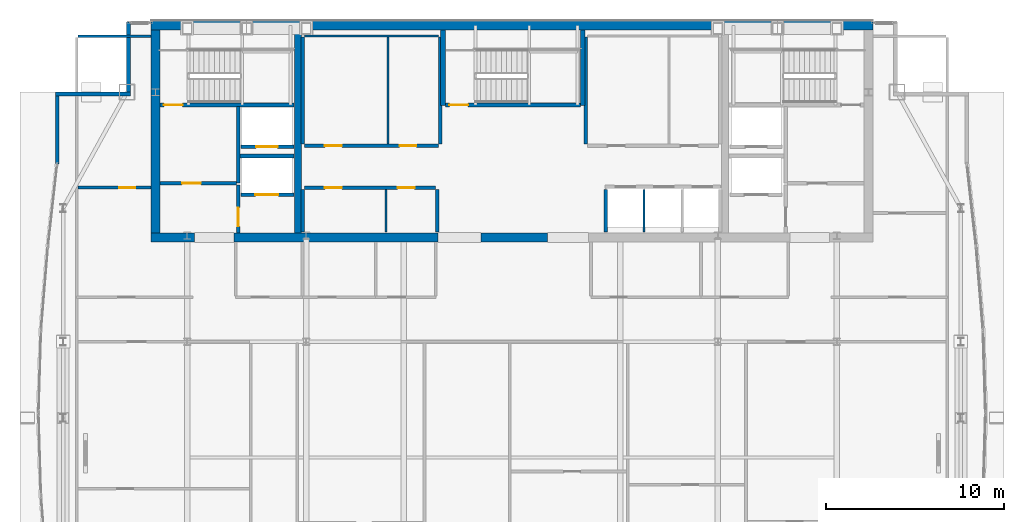
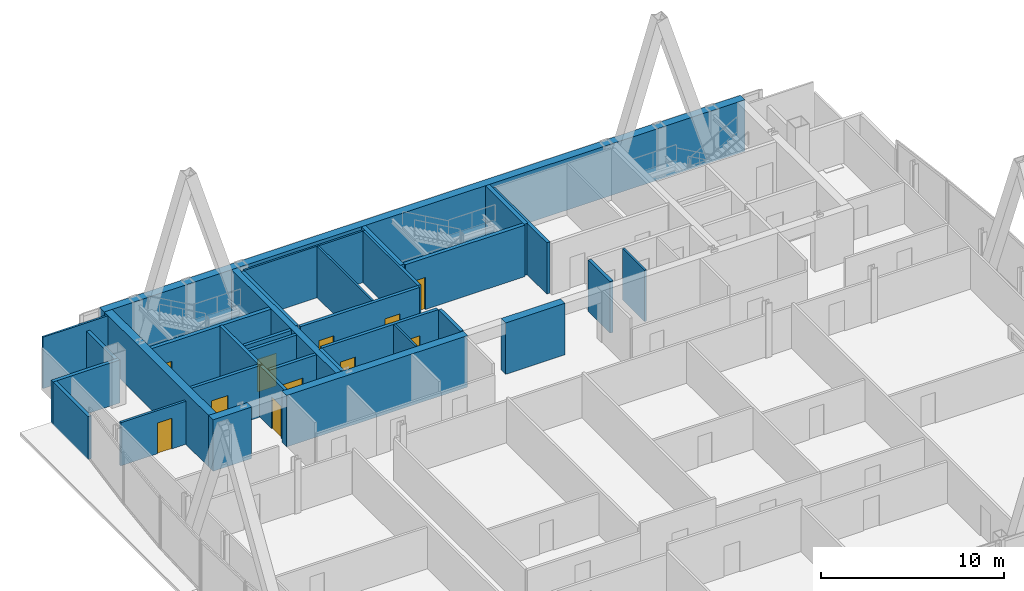
# One storey, part 24 of 28: 33 walls, 11 doors, 11 openings.
"""IFC4 building model written with IfcOpenShell, lengths in metres."""

from ifc_helpers import new_model, si_unit, direction, frame, frame_2d, origin, place, context, subcontext, project, spatial, rectangle, extrude, material, layer, layer_set, type_object, element, fill, save


model = new_model("IFC4")

# Units and contexts
model_context = context("Model", 3, precision=1e-05, world=origin(), true_north=direction((0.0, 1.0)))
body_context = subcontext(model_context, "Body", "Model", "MODEL_VIEW")
ifc_project = project(units=[si_unit("LENGTHUNIT", "METRE"), si_unit("AREAUNIT", "SQUARE_METRE"), si_unit("VOLUMEUNIT", "CUBIC_METRE"), si_unit("PLANEANGLEUNIT", "RADIAN"), si_unit("MASSUNIT", "GRAM", prefix="KILO")], contexts=[model_context])

# Site, building, storey
site_placement = place(None, origin())
site = spatial("IfcSite", under=ifc_project, at=site_placement, CompositionType="ELEMENT")
building_placement = place(site_placement, origin())
building = spatial("IfcBuilding", under=site, at=building_placement, Name="Khoronbel Lancet Exchange", CompositionType="ELEMENT")
storey_placement = place(building_placement, frame((0.0, 0.0, 291.39990234375)))
storey = spatial("IfcBuildingStorey", under=building, at=storey_placement, Name="L75", CompositionType="ELEMENT", Elevation=291.39990234375)

# Walls
ifc_material_1 = material(Name="Concrete C60/75", Category="concrete")
ifc_layer_1 = layer(ifc_material_1, 0.5, Name="Concrete C60/75")
ifc_layer_set_1 = layer_set([ifc_layer_1], Name="Concrete C60/75")
wall_type_1 = type_object("IfcWallType", Name="WL-CW4", PredefinedType="SHEAR", material=ifc_layer_set_1)
wall_1_placement = place(storey_placement, frame((16.199951171875, 53.449951171875, 0.0), z_axis=(0.0, 0.0, 1.0), x_axis=(1.0, 0.0, 0.0)))
element("IfcWall", 1, at=wall_1_placement, inside=storey, type_object=wall_type_1, Name="Level L75 rear core north shear wall", PredefinedType="SHEAR", context=body_context, shape_type="SweptSolid", body=[
    extrude(rectangle(XDim=40.5, YDim=0.5, at=frame_2d((20.25, 0.0))), origin(), (0.0, 0.0, 1.0), 3.440185546875),
])
wall_2_placement = place(storey_placement, frame((16.449951171875, 41.800048828125, 0.0), z_axis=(0.0, 0.0, 1.0), x_axis=(0.0, 1.0, 0.0)))
element("IfcWall", 2, at=wall_2_placement, inside=storey, type_object=wall_type_1, Name="Level L75 rear core west shear wall", PredefinedType="SHEAR", context=body_context, shape_type="SweptSolid", body=[
    extrude(rectangle(XDim=11.39990234375, YDim=0.5, at=frame_2d((5.699951171875, 0.0))), origin(), (0.0, 0.0, 1.0), 3.440185546875),
])
wall_3_placement = place(storey_placement, frame((18.64990234375, 41.550048828125, 0.0), z_axis=(0.0, 0.0, 1.0), x_axis=(-1.0, 0.0, 0.0)))
element("IfcWall", 3, at=wall_3_placement, inside=storey, type_object=wall_type_1, Name="Level L75 rear core south shear wall pier P1", PredefinedType="SHEAR", context=body_context, shape_type="SweptSolid", body=[
    extrude(rectangle(XDim=2.449951171875, YDim=0.5, at=frame_2d((1.22509765625, 0.0))), origin(), (0.0, 0.0, 1.0), 3.440185546875),
])
wall_4_placement = place(storey_placement, frame((32.300048828125, 41.550048828125, 0.0), z_axis=(0.0, 0.0, 1.0), x_axis=(-1.0, 0.0, 0.0)))
element("IfcWall", 4, at=wall_4_placement, inside=storey, type_object=wall_type_1, Name="Level L75 rear core south shear wall pier P2", PredefinedType="SHEAR", context=body_context, shape_type="SweptSolid", body=[
    extrude(rectangle(XDim=11.449951171875, YDim=0.5, at=frame_2d((5.72509765625, 0.0))), origin(), (0.0, 0.0, 1.0), 3.440185546875),
])
wall_5_placement = place(storey_placement, frame((38.449951171875, 41.550048828125, 0.0), z_axis=(0.0, 0.0, 1.0), x_axis=(-1.0, 0.0, 0.0)))
element("IfcWall", 5, at=wall_5_placement, inside=storey, type_object=wall_type_1, Name="Level L75 rear core south shear wall pier P3", PredefinedType="SHEAR", context=body_context, shape_type="SweptSolid", body=[
    extrude(rectangle(XDim=3.75, YDim=0.5, at=frame_2d((1.875, 0.0))), origin(), (0.0, 0.0, 1.0), 3.440185546875),
])
ifc_material_2 = material(Name="Precast concrete C40/50", Category="concrete")
ifc_layer_2 = layer(ifc_material_2, 0.25, Name="Precast concrete C40/50")
ifc_layer_set_2 = layer_set([ifc_layer_2], Name="Precast concrete C40/50")
wall_type_2 = type_object("IfcWallType", Name="WL-EXT250", PredefinedType="SOLIDWALL", material=ifc_layer_set_2)
wall_6_placement = place(storey_placement, frame((10.93994140625, 45.675048828125, 0.0), z_axis=(0.0, 0.0, 1.0), x_axis=(0.0, 1.0, 0.0)))
element("IfcWall", 6, at=wall_6_placement, inside=storey, type_object=wall_type_2, Name="Level L75 notched-corner limestone pier 10", PredefinedType="SOLIDWALL", context=body_context, shape_type="SweptSolid", body=[
    extrude(rectangle(XDim=3.824951171875, YDim=0.219970703125, at=frame_2d((1.91259765625, 0.0))), origin(), (0.0, 0.0, 1.0), 2.880126953125),
])
wall_7_placement = place(storey_placement, frame((10.830078125, 49.610107421875, 0.0), z_axis=(0.0, 0.0, 1.0), x_axis=(1.0, 0.0, 0.0)))
element("IfcWall", 7, at=wall_7_placement, inside=storey, type_object=wall_type_2, Name="Level L75 notched-corner limestone pier 11", PredefinedType="SOLIDWALL", context=body_context, shape_type="SweptSolid", body=[
    extrude(rectangle(XDim=4.219970703125, YDim=0.219970703125, at=frame_2d((2.10986328125, 0.0))), origin(), (0.0, 0.0, 1.0), 2.880126953125),
])
wall_8_placement = place(storey_placement, frame((14.93994140625, 49.719970703125, 0.0), z_axis=(0.0, 0.0, 1.0), x_axis=(0.0, 1.0, 0.0)))
element("IfcWall", 8, at=wall_8_placement, inside=storey, type_object=wall_type_2, Name="Level L75 notched-corner limestone pier 12", PredefinedType="SOLIDWALL", context=body_context, shape_type="SweptSolid", body=[
    extrude(rectangle(XDim=3.909912109375, YDim=0.219970703125, at=frame_2d((1.955078125, 0.0))), origin(), (0.0, 0.0, 1.0), 2.880126953125),
])

# Wall, opening, door
ifc_material_3 = material(Name="Acoustic Metal-Stud & Mineral-Wool Gypsum Partition 120 mm", Category="gypsum")
ifc_layer_3 = layer(ifc_material_3, 0.1201171875, Name="Acoustic Metal-Stud & Mineral-Wool Gypsum Partition 120 mm")
ifc_layer_set_3 = layer_set([ifc_layer_3], Name="Acoustic Metal-Stud & Mineral-Wool Gypsum Partition 120 mm")
wall_type_3 = type_object("IfcWallType", Name="WL-PRT120", PredefinedType="PARTITIONING", material=ifc_layer_set_3)
wall_9_placement = place(storey_placement, frame((12.094970703125, 44.35009765625, 0.0), z_axis=(0.0, 0.0, 1.0), x_axis=(1.0, 0.0, 0.0)))
wall_9 = element("IfcWall", 9, at=wall_9_placement, inside=storey, type_object=wall_type_3, Name="Level L75 interior partition PW-NW-H", PredefinedType="PARTITIONING", context=body_context, shape_type="SweptSolid", body=[
    extrude(rectangle(XDim=4.10498046875, YDim=0.14990234375, at=frame_2d((2.052490234375, 0.0))), origin(), (0.0, 0.0, 1.0), 2.880126953125),
])
opening_1_placement = place(wall_9_placement, frame((2.320068359375, 0.0, 0.0)))
opening_1 = element("IfcOpeningElement", 10, at=opening_1_placement, cuts=wall_9, Name="Opening D5", PredefinedType="OPENING", context=body_context, shape_type="SweptSolid", body=[
    extrude(rectangle(XDim=0.89990234375, YDim=2.050048828125, at=frame_2d((0.449951171875, 1.02490234375))), frame((0.0, 0.0849609375, 0.0), z_axis=(0.0, -1.0, 0.0), x_axis=(1.0, 0.0, 0.0)), (0.0, 0.0, 1.0), 0.169921875),
])
ifc_material_4 = material(Name="Acoustic Timber Pantry & Support Door", Category="wood")
door_type_1 = type_object("IfcDoorType", Name="DR-D5", OperationType="NOTDEFINED", PredefinedType="DOOR", material=ifc_material_4)
door_1_placement = place(opening_1_placement, origin())
door_1 = element("IfcDoor", 11, at=door_1_placement, inside=storey, type_object=door_type_1, Name="NW north room door L75-1", OperationType="SINGLE_SWING_RIGHT", OverallHeight=2.050048828125, OverallWidth=0.89990234375, PredefinedType="DOOR", context=body_context, shape_type="SweptSolid", body=[
    extrude(rectangle(XDim=0.89990234375, YDim=2.050048828125, at=frame_2d((0.449951171875, 1.02490234375))), frame((0.0, 0.02490234375, 0.0), z_axis=(0.0, -1.0, 0.0), x_axis=(1.0, 0.0, 0.0)), (0.0, 0.0, 1.0), 0.050048828125),
])
fill(opening_1, door_1)

# Walls
wall_10_placement = place(storey_placement, frame((12.094970703125, 52.840087890625, 0.0), z_axis=(0.0, 0.0, 1.0), x_axis=(1.0, 0.0, 0.0)))
element("IfcWall", 12, at=wall_10_placement, inside=storey, type_object=wall_type_3, Name="Level L75 interior partition PW-LIN-NW", PredefinedType="PARTITIONING", context=body_context, shape_type="SweptSolid", body=[
    extrude(rectangle(XDim=4.10498046875, YDim=0.1201171875, at=frame_2d((2.052490234375, 0.0))), origin(), (0.0, 0.0, 1.0), 3.440185546875),
])
ifc_material_5 = material(Name="Fire-Rated Metal-Stud & Mineral-Wool Gypsum Partition 120 mm", Category="gypsum")
ifc_layer_4 = layer(ifc_material_5, 0.1201171875, Name="Fire-Rated Metal-Stud & Mineral-Wool Gypsum Partition 120 mm")
ifc_layer_set_4 = layer_set([ifc_layer_4], Name="Fire-Rated Metal-Stud & Mineral-Wool Gypsum Partition 120 mm")
wall_type_4 = type_object("IfcWallType", Name="WL-PRT120F", PredefinedType="PARTITIONING", material=ifc_layer_set_4)
wall_11_placement = place(storey_placement, frame((24.804931640625, 52.860107421875, 0.0), z_axis=(0.0, 0.0, 1.0), x_axis=(1.0, 0.0, 0.0)))
element("IfcWall", 13, at=wall_11_placement, inside=storey, type_object=wall_type_4, Name="Level L75 interior partition CW-PL-RN", PredefinedType="PARTITIONING", context=body_context, shape_type="SweptSolid", body=[
    extrude(rectangle(XDim=7.510009765625, YDim=0.1201171875, at=frame_2d((3.7548828125, 0.0))), origin(), (0.0, 0.0, 1.0), 3.440185546875),
])
wall_12_placement = place(storey_placement, frame((29.486328125, 46.804931640625, 0.0), z_axis=(0.0, 0.0, 1.0), x_axis=(0.0, 1.0, 0.0)))
element("IfcWall", 14, at=wall_12_placement, inside=storey, type_object=wall_type_4, Name="Level L75 interior partition CW-PL-RS2", PredefinedType="PARTITIONING", context=body_context, shape_type="SweptSolid", body=[
    extrude(rectangle(XDim=5.989990234375, YDim=0.1201171875, at=frame_2d((2.9951171875, 0.0))), origin(), (0.0, 0.0, 1.0), 3.440185546875),
])
wall_13_placement = place(storey_placement, frame((29.381103515625, 41.85009765625, 0.0), z_axis=(0.0, 0.0, 1.0), x_axis=(0.0, 1.0, 0.0)))
element("IfcWall", 15, at=wall_13_placement, inside=storey, type_object=wall_type_4, Name="Level L75 interior partition CW-PM-RS2", PredefinedType="PARTITIONING", context=body_context, shape_type="SweptSolid", body=[
    extrude(rectangle(XDim=2.39501953125, YDim=0.1201171875, at=frame_2d((1.197509765625, 0.0))), origin(), (0.0, 0.0, 1.0), 3.440185546875),
])
wall_14_placement = place(storey_placement, frame((43.860107421875, 41.85009765625, 0.0), z_axis=(0.0, 0.0, 1.0), x_axis=(0.0, 1.0, 0.0)))
element("IfcWall", 16, at=wall_14_placement, inside=storey, type_object=wall_type_4, Name="Level L75 interior partition CW-PX-D1", PredefinedType="PARTITIONING", context=body_context, shape_type="SweptSolid", body=[
    extrude(rectangle(XDim=2.39990234375, YDim=0.1201171875, at=frame_2d((1.199951171875, 0.0))), origin(), (0.0, 0.0, 1.0), 3.440185546875),
])

# Wall, opening, door
ifc_material_6 = material(Name="Autoclaved Aerated Concrete Blockwork 200 mm", Category="masonry")
ifc_layer_5 = layer(ifc_material_6, 0.199951171875, Name="Autoclaved Aerated Concrete Blockwork 200 mm")
ifc_layer_set_5 = layer_set([ifc_layer_5], Name="Autoclaved Aerated Concrete Blockwork 200 mm")
wall_type_5 = type_object("IfcWallType", Name="WL-PRT200", PredefinedType="PARTITIONING", material=ifc_layer_set_5)
wall_15_placement = place(storey_placement, frame((24.2099609375, 43.949951171875, 0.0), z_axis=(0.0, 0.0, 1.0), x_axis=(-1.0, 0.0, 0.0)))
wall_15 = element("IfcWall", 17, at=wall_15_placement, inside=storey, type_object=wall_type_5, Name="Level L75 elevator hoistway landing front wall SVLW", PredefinedType="PARTITIONING", context=body_context, shape_type="SweptSolid", body=[
    extrude(rectangle(XDim=2.969970703125, YDim=0.199951171875, at=frame_2d((1.48486328125, 0.0))), origin(), (0.0, 0.0, 1.0), 3.440185546875),
])
opening_2_placement = place(wall_15_placement, frame((0.860107421875, 0.0, 0.0)))
opening_2 = element("IfcOpeningElement", 18, at=opening_2_placement, cuts=wall_15, Name="Opening LD-SVL1", PredefinedType="OPENING", context=body_context, shape_type="SweptSolid", body=[
    extrude(rectangle(XDim=1.300048828125, YDim=2.179931640625, at=frame_2d((0.64990234375, 1.08984375))), frame((0.0, 0.10986328125, 0.0), z_axis=(0.0, -1.0, 0.0), x_axis=(1.0, 0.0, 0.0)), (0.0, 0.0, 1.0), 0.219970703125),
])
ifc_material_7 = material(Name="Heavy-Duty Bi-Parting Goods Lift Landing Door", Category="steel")
door_type_2 = type_object("IfcDoorType", Name="DR-LD-SVL", OperationType="NOTDEFINED", PredefinedType="DOOR", material=ifc_material_7)
door_2_placement = place(opening_2_placement, origin())
door_2 = element("IfcDoor", 19, at=door_2_placement, inside=storey, type_object=door_type_2, Name="Elevator landing sliding door LD-SVL1 L75", OperationType="SLIDING_TO_LEFT", OverallHeight=2.179931640625, OverallWidth=1.300048828125, PredefinedType="DOOR", context=body_context, shape_type="SweptSolid", body=[
    extrude(rectangle(XDim=1.300048828125, YDim=2.179931640625, at=frame_2d((0.64990234375, 1.08984375))), frame((0.0, 0.02490234375, 0.0), z_axis=(0.0, -1.0, 0.0), x_axis=(1.0, 0.0, 0.0)), (0.0, 0.0, 1.0), 0.050048828125),
])
fill(opening_2, door_2)

wall_16_placement = place(storey_placement, frame((24.2099609375, 46.64990234375, 0.0), z_axis=(0.0, 0.0, 1.0), x_axis=(-1.0, 0.0, 0.0)))
wall_16 = element("IfcWall", 20, at=wall_16_placement, inside=storey, type_object=wall_type_5, Name="Level L75 elevator hoistway landing front wall FFLW", PredefinedType="PARTITIONING", context=body_context, shape_type="SweptSolid", body=[
    extrude(rectangle(XDim=2.969970703125, YDim=0.199951171875, at=frame_2d((1.48486328125, 0.0))), origin(), (0.0, 0.0, 1.0), 3.440185546875),
])
opening_3_placement = place(wall_16_placement, frame((0.909912109375, 0.0, 0.0)))
opening_3 = element("IfcOpeningElement", 21, at=opening_3_placement, cuts=wall_16, Name="Opening LD-FFL1", PredefinedType="OPENING", context=body_context, shape_type="SweptSolid", body=[
    extrude(rectangle(XDim=1.199951171875, YDim=2.179931640625, at=frame_2d((0.60009765625, 1.08984375))), frame((0.0, 0.10986328125, 0.0), z_axis=(0.0, -1.0, 0.0), x_axis=(1.0, 0.0, 0.0)), (0.0, 0.0, 1.0), 0.219970703125),
])
ifc_material_8 = material(Name="Fire-Rated Stainless Bi-Parting Firefighting Lift Door", Category="steel")
door_type_3 = type_object("IfcDoorType", Name="DR-LD-FFL", OperationType="NOTDEFINED", PredefinedType="DOOR", material=ifc_material_8)
door_3_placement = place(opening_3_placement, origin())
door_3 = element("IfcDoor", 22, at=door_3_placement, inside=storey, type_object=door_type_3, Name="Elevator landing sliding door LD-FFL1 L75", OperationType="SLIDING_TO_LEFT", OverallHeight=2.179931640625, OverallWidth=1.199951171875, PredefinedType="DOOR", context=body_context, shape_type="SweptSolid", body=[
    extrude(rectangle(XDim=1.199951171875, YDim=2.179931640625, at=frame_2d((0.60009765625, 1.08984375))), frame((0.0, 0.02490234375, 0.0), z_axis=(0.0, -1.0, 0.0), x_axis=(1.0, 0.0, 0.0)), (0.0, 0.0, 1.0), 0.050048828125),
])
fill(opening_3, door_3)

# Wall
wall_17_placement = place(storey_placement, frame((21.10009765625, 44.60009765625, 0.0), z_axis=(0.0, 0.0, 1.0), x_axis=(0.0, 1.0, 0.0)))
element("IfcWall", 23, at=wall_17_placement, inside=storey, type_object=wall_type_5, Name="Level L75 interior partition CW-FFLW-E", PredefinedType="PARTITIONING", context=body_context, shape_type="SweptSolid", body=[
    extrude(rectangle(XDim=4.2998046875, YDim=0.199951171875, at=frame_2d((2.14990234375, 0.0))), origin(), (0.0, 0.0, 1.0), 3.440185546875),
])

# Wall, opening, door
wall_18_placement = place(storey_placement, frame((16.699951171875, 44.60009765625, 0.0), z_axis=(0.0, 0.0, 1.0), x_axis=(1.0, 0.0, 0.0)))
wall_18 = element("IfcWall", 24, at=wall_18_placement, inside=storey, type_object=wall_type_5, Name="Level L75 interior partition CW-FFLW-S", PredefinedType="PARTITIONING", context=body_context, shape_type="SweptSolid", body=[
    extrude(rectangle(XDim=4.300048828125, YDim=0.199951171875, at=frame_2d((2.14990234375, 0.0))), origin(), (0.0, 0.0, 1.0), 3.440185546875),
])
opening_4_placement = place(wall_18_placement, frame((1.25, 0.0, 0.0)))
opening_4 = element("IfcOpeningElement", 25, at=opening_4_placement, cuts=wall_18, Name="Opening FD1", PredefinedType="OPENING", context=body_context, shape_type="SweptSolid", body=[
    extrude(rectangle(XDim=1.050048828125, YDim=2.14990234375, at=frame_2d((0.52490234375, 1.074951171875))), frame((0.0, 0.10986328125, 0.0), z_axis=(0.0, -1.0, 0.0), x_axis=(1.0, 0.0, 0.0)), (0.0, 0.0, 1.0), 0.219970703125),
])
ifc_material_9 = material(Name="Fire-Rated Painted Steel Door Assembly", Category="steel")
door_type_4 = type_object("IfcDoorType", Name="DR-FD1", OperationType="NOTDEFINED", PredefinedType="DOOR", material=ifc_material_9)
door_4_placement = place(opening_4_placement, origin())
door_4 = element("IfcDoor", 26, at=door_4_placement, inside=storey, type_object=door_type_4, Name="West firefighting lobby FD90S door L75-1", OperationType="SINGLE_SWING_LEFT", OverallHeight=2.14990234375, OverallWidth=1.050048828125, PredefinedType="DOOR", context=body_context, shape_type="SweptSolid", body=[
    extrude(rectangle(XDim=1.050048828125, YDim=2.14990234375, at=frame_2d((0.52490234375, 1.074951171875))), frame((0.0, 0.02490234375, 0.0), z_axis=(0.0, -1.0, 0.0), x_axis=(1.0, 0.0, 0.0)), (0.0, 0.0, 1.0), 0.050048828125),
])
fill(opening_4, door_4)

# Wall
wall_19_placement = place(storey_placement, frame((21.199951171875, 46.1201171875, 0.0), z_axis=(0.0, 0.0, 1.0), x_axis=(1.0, 0.0, 0.0)))
element("IfcWall", 27, at=wall_19_placement, inside=storey, type_object=wall_type_5, Name="Level L75 interior partition CW-FFL1-S", PredefinedType="PARTITIONING", context=body_context, shape_type="SweptSolid", body=[
    extrude(rectangle(XDim=3.02001953125, YDim=0.199951171875, at=frame_2d((1.510009765625, 0.0))), origin(), (0.0, 0.0, 1.0), 3.440185546875),
])

# Wall, opening, door
wall_20_placement = place(storey_placement, frame((21.10009765625, 41.800048828125, 0.0), z_axis=(0.0, 0.0, 1.0), x_axis=(0.0, 1.0, 0.0)))
wall_20 = element("IfcWall", 28, at=wall_20_placement, inside=storey, type_object=wall_type_5, Name="Level L75 interior partition CW-SVLW-W", PredefinedType="PARTITIONING", context=body_context, shape_type="SweptSolid", body=[
    extrude(rectangle(XDim=2.695068359375, YDim=0.199951171875, at=frame_2d((1.34765625, 0.0))), origin(), (0.0, 0.0, 1.0), 3.440185546875),
])
opening_5_placement = place(wall_20_placement, frame((0.3798828125, 0.0, 0.0)))
opening_5 = element("IfcOpeningElement", 29, at=opening_5_placement, cuts=wall_20, Name="Opening FD1", PredefinedType="OPENING", context=body_context, shape_type="SweptSolid", body=[
    extrude(rectangle(XDim=1.050048828125, YDim=2.14990234375, at=frame_2d((0.52490234375, 1.074951171875))), frame((0.0, 0.10986328125, 0.0), z_axis=(0.0, -1.0, 0.0), x_axis=(1.0, 0.0, 0.0)), (0.0, 0.0, 1.0), 0.219970703125),
])
door_5_placement = place(opening_5_placement, origin())
door_5 = element("IfcDoor", 30, at=door_5_placement, inside=storey, type_object=door_type_4, Name="West service lift lobby door L75-1", OperationType="SINGLE_SWING_RIGHT", OverallHeight=2.14990234375, OverallWidth=1.050048828125, PredefinedType="DOOR", context=body_context, shape_type="SweptSolid", body=[
    extrude(rectangle(XDim=1.050048828125, YDim=2.14990234375, at=frame_2d((0.52490234375, 1.074951171875))), frame((0.0, 0.02490234375, 0.0), z_axis=(0.0, -1.0, 0.0), x_axis=(1.0, 0.0, 0.0)), (0.0, 0.0, 1.0), 0.050048828125),
])
fill(opening_5, door_5)

# Walls
for number, where, z_axis, x_axis, name in (
    (31, (24.699951171875, 46.804931640625, 0.0), (0.0, 0.0, 1.0), (0.0, 1.0, 0.0), "Level L75 interior partition CW-PL-RW"),
    (32, (32.419921875, 46.804931640625, 0.0), (0.0, 0.0, 1.0), (0.0, 1.0, 0.0), "Level L75 interior partition CW-PL-RE"),
):
    element("IfcWall", number, at=place(storey_placement, frame(where, z_axis=z_axis, x_axis=x_axis)), inside=storey, type_object=wall_type_5, Name=name, PredefinedType="PARTITIONING", context=body_context, shape_type="SweptSolid", body=[
        extrude(rectangle(XDim=5.989990234375, YDim=0.199951171875, at=frame_2d((2.9951171875, 0.0))), origin(), (0.0, 0.0, 1.0), 3.440185546875),
    ])

# Wall, openings, doors
wall_21_placement = place(storey_placement, frame((24.804931640625, 46.699951171875, 0.0), z_axis=(0.0, 0.0, 1.0), x_axis=(1.0, 0.0, 0.0)))
wall_21 = element("IfcWall", 33, at=wall_21_placement, inside=storey, type_object=wall_type_5, Name="Level L75 interior partition CW-PL-RF", PredefinedType="PARTITIONING", context=body_context, shape_type="SweptSolid", body=[
    extrude(rectangle(XDim=7.510009765625, YDim=0.199951171875, at=frame_2d((3.7548828125, 0.0))), origin(), (0.0, 0.0, 1.0), 3.440185546875),
])
opening_6_placement = place(wall_21_placement, frame((1.14990234375, 0.0, 0.0)))
opening_6 = element("IfcOpeningElement", 34, at=opening_6_placement, cuts=wall_21, Name="Opening FD3", PredefinedType="OPENING", context=body_context, shape_type="SweptSolid", body=[
    extrude(rectangle(XDim=0.949951171875, YDim=2.10009765625, at=frame_2d((0.47509765625, 1.050048828125))), frame((0.0, 0.10986328125, 0.0), z_axis=(0.0, -1.0, 0.0), x_axis=(1.0, 0.0, 0.0)), (0.0, 0.0, 1.0), 0.219970703125),
])
opening_7_placement = place(wall_21_placement, frame((5.33642578125, 0.0, 0.0)))
opening_7 = element("IfcOpeningElement", 35, at=opening_7_placement, cuts=wall_21, Name="Opening FD3", PredefinedType="OPENING", context=body_context, shape_type="SweptSolid", body=[
    extrude(rectangle(XDim=0.949951171875, YDim=2.10009765625, at=frame_2d((0.47509765625, 1.050048828125))), frame((0.0, 0.10986328125, 0.0), z_axis=(0.0, -1.0, 0.0), x_axis=(1.0, 0.0, 0.0)), (0.0, 0.0, 1.0), 0.219970703125),
])
ifc_material_10 = material(Name="Fire-Rated Steel Plant & Riser Door Assembly", Category="steel")
door_type_5 = type_object("IfcDoorType", Name="DR-FD3", OperationType="NOTDEFINED", PredefinedType="DOOR", material=ifc_material_10)
door_6_placement = place(opening_6_placement, origin())
door_6 = element("IfcDoor", 36, at=door_6_placement, inside=storey, type_object=door_type_5, Name="Reclaimed PL C door L75-1", OperationType="SINGLE_SWING_LEFT", OverallHeight=2.10009765625, OverallWidth=0.949951171875, PredefinedType="DOOR", context=body_context, shape_type="SweptSolid", body=[
    extrude(rectangle(XDim=0.949951171875, YDim=2.10009765625, at=frame_2d((0.47509765625, 1.050048828125))), frame((0.0, 0.02490234375, 0.0), z_axis=(0.0, -1.0, 0.0), x_axis=(1.0, 0.0, 0.0)), (0.0, 0.0, 1.0), 0.050048828125),
])
fill(opening_6, door_6)
door_7_placement = place(opening_7_placement, origin())
door_7 = element("IfcDoor", 37, at=door_7_placement, inside=storey, type_object=door_type_5, Name="Reclaimed PL D door L75-2", OperationType="SINGLE_SWING_RIGHT", OverallHeight=2.10009765625, OverallWidth=0.949951171875, PredefinedType="DOOR", context=body_context, shape_type="SweptSolid", body=[
    extrude(rectangle(XDim=0.949951171875, YDim=2.10009765625, at=frame_2d((0.47509765625, 1.050048828125))), frame((0.0, 0.02490234375, 0.0), z_axis=(0.0, -1.0, 0.0), x_axis=(1.0, 0.0, 0.0)), (0.0, 0.0, 1.0), 0.050048828125),
])
fill(opening_7, door_7)

# Walls
for number, where, z_axis, x_axis, name in (
    (38, (24.699951171875, 41.85009765625, 0.0), (0.0, 0.0, 1.0), (0.0, 1.0, 0.0), "Level L75 interior partition CW-PM-RW"),
    (39, (32.25, 41.85009765625, 0.0), (0.0, 0.0, 1.0), (0.0, 1.0, 0.0), "Level L75 interior partition CW-PM-RE"),
):
    element("IfcWall", number, at=place(storey_placement, frame(where, z_axis=z_axis, x_axis=x_axis)), inside=storey, type_object=wall_type_5, Name=name, PredefinedType="PARTITIONING", context=body_context, shape_type="SweptSolid", body=[
        extrude(rectangle(XDim=2.39501953125, YDim=0.199951171875, at=frame_2d((1.197509765625, 0.0))), origin(), (0.0, 0.0, 1.0), 3.440185546875),
    ])

# Wall, openings, doors
wall_22_placement = place(storey_placement, frame((24.804931640625, 44.35009765625, 0.0), z_axis=(0.0, 0.0, 1.0), x_axis=(1.0, 0.0, 0.0)))
wall_22 = element("IfcWall", 40, at=wall_22_placement, inside=storey, type_object=wall_type_5, Name="Level L75 interior partition CW-PM-RF", PredefinedType="PARTITIONING", context=body_context, shape_type="SweptSolid", body=[
    extrude(rectangle(XDim=7.340087890625, YDim=0.199951171875, at=frame_2d((3.669921875, 0.0))), origin(), (0.0, 0.0, 1.0), 3.440185546875),
])
opening_8_placement = place(wall_22_placement, frame((1.14990234375, 0.0, 0.0)))
opening_8 = element("IfcOpeningElement", 41, at=opening_8_placement, cuts=wall_22, Name="Opening FD3", PredefinedType="OPENING", context=body_context, shape_type="SweptSolid", body=[
    extrude(rectangle(XDim=0.949951171875, YDim=2.10009765625, at=frame_2d((0.47509765625, 1.050048828125))), frame((0.0, 0.10986328125, 0.0), z_axis=(0.0, -1.0, 0.0), x_axis=(1.0, 0.0, 0.0)), (0.0, 0.0, 1.0), 0.219970703125),
])
opening_9_placement = place(wall_22_placement, frame((5.23095703125, 0.0, 0.0)))
opening_9 = element("IfcOpeningElement", 42, at=opening_9_placement, cuts=wall_22, Name="Opening FD3", PredefinedType="OPENING", context=body_context, shape_type="SweptSolid", body=[
    extrude(rectangle(XDim=0.949951171875, YDim=2.10009765625, at=frame_2d((0.47509765625, 1.050048828125))), frame((0.0, 0.10986328125, 0.0), z_axis=(0.0, -1.0, 0.0), x_axis=(1.0, 0.0, 0.0)), (0.0, 0.0, 1.0), 0.219970703125),
])
door_8_placement = place(opening_8_placement, origin())
door_8 = element("IfcDoor", 43, at=door_8_placement, inside=storey, type_object=door_type_5, Name="Reclaimed PM C door L75-1", OperationType="SINGLE_SWING_LEFT", OverallHeight=2.10009765625, OverallWidth=0.949951171875, PredefinedType="DOOR", context=body_context, shape_type="SweptSolid", body=[
    extrude(rectangle(XDim=0.949951171875, YDim=2.10009765625, at=frame_2d((0.47509765625, 1.050048828125))), frame((0.0, 0.02490234375, 0.0), z_axis=(0.0, -1.0, 0.0), x_axis=(1.0, 0.0, 0.0)), (0.0, 0.0, 1.0), 0.050048828125),
])
fill(opening_8, door_8)
door_9_placement = place(opening_9_placement, origin())
door_9 = element("IfcDoor", 44, at=door_9_placement, inside=storey, type_object=door_type_5, Name="Reclaimed PM D door L75-2", OperationType="SINGLE_SWING_RIGHT", OverallHeight=2.10009765625, OverallWidth=0.949951171875, PredefinedType="DOOR", context=body_context, shape_type="SweptSolid", body=[
    extrude(rectangle(XDim=0.949951171875, YDim=2.10009765625, at=frame_2d((0.47509765625, 1.050048828125))), frame((0.0, 0.02490234375, 0.0), z_axis=(0.0, -1.0, 0.0), x_axis=(1.0, 0.0, 0.0)), (0.0, 0.0, 1.0), 0.050048828125),
])
fill(opening_9, door_9)

# Walls
wall_23_placement = place(storey_placement, frame((40.580078125, 46.804931640625, 0.0), z_axis=(0.0, 0.0, 1.0), x_axis=(0.0, 1.0, 0.0)))
element("IfcWall", 45, at=wall_23_placement, inside=storey, type_object=wall_type_5, Name="Level L75 interior partition CW-PH-RW", PredefinedType="PARTITIONING", context=body_context, shape_type="SweptSolid", body=[
    extrude(rectangle(XDim=5.989990234375, YDim=0.199951171875, at=frame_2d((2.9951171875, 0.0))), origin(), (0.0, 0.0, 1.0), 3.440185546875),
])
wall_24_placement = place(storey_placement, frame((41.719970703125, 41.85009765625, 0.0), z_axis=(0.0, 0.0, 1.0), x_axis=(0.0, 1.0, 0.0)))
element("IfcWall", 46, at=wall_24_placement, inside=storey, type_object=wall_type_5, Name="Level L75 interior partition CW-PX-W", PredefinedType="PARTITIONING", context=body_context, shape_type="SweptSolid", body=[
    extrude(rectangle(XDim=2.39990234375, YDim=0.199951171875, at=frame_2d((1.199951171875, 0.0))), origin(), (0.0, 0.0, 1.0), 3.440185546875),
])
ifc_layer_6 = layer(ifc_material_1, 0.39990234375, Name="Concrete C60/75")
ifc_layer_set_6 = layer_set([ifc_layer_6], Name="Concrete C60/75")
wall_type_6 = type_object("IfcWallType", Name="WL-SW2", PredefinedType="SHEAR", material=ifc_layer_set_6)
wall_25_placement = place(storey_placement, frame((24.449951171875, 41.800048828125, 0.0), z_axis=(0.0, 0.0, 1.0), x_axis=(0.0, 1.0, 0.0)))
element("IfcWall", 47, at=wall_25_placement, inside=storey, type_object=wall_type_6, Name="Level L75 rear core internal spine shear wall IW", PredefinedType="SHEAR", context=body_context, shape_type="SweptSolid", body=[
    extrude(rectangle(XDim=11.39990234375, YDim=0.39990234375, at=frame_2d((5.699951171875, 0.0))), origin(), (0.0, 0.0, 1.0), 3.440185546875),
])
ifc_layer_7 = layer(ifc_material_1, 0.260009765625, Name="Concrete C60/75")
ifc_layer_set_7 = layer_set([ifc_layer_7], Name="Concrete C60/75")
wall_type_7 = type_object("IfcWallType", Name="WL-SW3", PredefinedType="SHEAR", material=ifc_layer_set_7)
for number, where, z_axis, x_axis, name in (
    (48, (32.580078125, 48.949951171875, 0.0), (0.0, 0.0, 1.0), (0.0, 1.0, 0.0), "Level L75 central stairwell structural shear wall ST3W"),
    (49, (40.419921875, 48.949951171875, 0.0), (0.0, 0.0, 1.0), (0.0, 1.0, 0.0), "Level L75 central stairwell structural shear wall ST3E"),
):
    element("IfcWall", number, at=place(storey_placement, frame(where, z_axis=z_axis, x_axis=x_axis)), inside=storey, type_object=wall_type_7, Name=name, PredefinedType="SHEAR", context=body_context, shape_type="SweptSolid", body=[
        extrude(rectangle(XDim=4.25, YDim=0.260009765625, at=frame_2d((2.125, 0.0))), origin(), (0.0, 0.0, 1.0), 3.440185546875),
    ])

# Wall, opening, door
wall_26_placement = place(storey_placement, frame((16.699951171875, 48.97998046875, 0.0), z_axis=(0.0, 0.0, 1.0), x_axis=(1.0, 0.0, 0.0)))
wall_26 = element("IfcWall", 50, at=wall_26_placement, inside=storey, type_object=wall_type_7, Name="Level L75 west stairwell structural south wall", PredefinedType="SHEAR", context=body_context, shape_type="SweptSolid", body=[
    extrude(rectangle(XDim=7.52001953125, YDim=0.239990234375, at=frame_2d((3.760009765625, 0.0))), origin(), (0.0, 0.0, 1.0), 3.440185546875),
])
opening_10_placement = place(wall_26_placement, frame((0.219970703125, 0.0, 0.0)))
opening_10 = element("IfcOpeningElement", 51, at=opening_10_placement, cuts=wall_26, Name="Opening SD1", PredefinedType="OPENING", context=body_context, shape_type="SweptSolid", body=[
    extrude(rectangle(XDim=1.050048828125, YDim=2.14990234375, at=frame_2d((0.52490234375, 1.074951171875))), frame((0.0, 0.1298828125, 0.0), z_axis=(0.0, -1.0, 0.0), x_axis=(1.0, 0.0, 0.0)), (0.0, 0.0, 1.0), 0.260009765625),
])
ifc_material_11 = material(Name="Fire-Rated Steel Stairwell Door Assembly", Category="steel")
door_type_6 = type_object("IfcDoorType", Name="DR-SD1", OperationType="NOTDEFINED", PredefinedType="DOOR", material=ifc_material_11)
door_10_placement = place(opening_10_placement, origin())
door_10 = element("IfcDoor", 52, at=door_10_placement, inside=storey, type_object=door_type_6, Name="Protected exit stair ST1 door L75", OperationType="SINGLE_SWING_LEFT", OverallHeight=2.14990234375, OverallWidth=1.050048828125, PredefinedType="DOOR", context=body_context, shape_type="SweptSolid", body=[
    extrude(rectangle(XDim=1.050048828125, YDim=2.14990234375, at=frame_2d((0.52490234375, 1.074951171875))), frame((0.0, 0.02490234375, 0.0), z_axis=(0.0, -1.0, 0.0), x_axis=(1.0, 0.0, 0.0)), (0.0, 0.0, 1.0), 0.050048828125),
])
fill(opening_10, door_10)

wall_27_placement = place(storey_placement, frame((32.719970703125, 48.97998046875, 0.0), z_axis=(0.0, 0.0, 1.0), x_axis=(1.0, 0.0, 0.0)))
wall_27 = element("IfcWall", 53, at=wall_27_placement, inside=storey, type_object=wall_type_7, Name="Level L75 central stairwell structural south wall", PredefinedType="SHEAR", context=body_context, shape_type="SweptSolid", body=[
    extrude(rectangle(XDim=7.56005859375, YDim=0.239990234375, at=frame_2d((3.780029296875, 0.0))), origin(), (0.0, 0.0, 1.0), 3.440185546875),
])
opening_11_placement = place(wall_27_placement, frame((0.219970703125, 0.0, 0.0)))
opening_11 = element("IfcOpeningElement", 54, at=opening_11_placement, cuts=wall_27, Name="Opening SD1", PredefinedType="OPENING", context=body_context, shape_type="SweptSolid", body=[
    extrude(rectangle(XDim=1.050048828125, YDim=2.14990234375, at=frame_2d((0.52490234375, 1.074951171875))), frame((0.0, 0.1298828125, 0.0), z_axis=(0.0, -1.0, 0.0), x_axis=(1.0, 0.0, 0.0)), (0.0, 0.0, 1.0), 0.260009765625),
])
door_11_placement = place(opening_11_placement, origin())
door_11 = element("IfcDoor", 55, at=door_11_placement, inside=storey, type_object=door_type_6, Name="Protected exit stair ST3 door L75", OperationType="SINGLE_SWING_LEFT", OverallHeight=2.14990234375, OverallWidth=1.050048828125, PredefinedType="DOOR", context=body_context, shape_type="SweptSolid", body=[
    extrude(rectangle(XDim=1.050048828125, YDim=2.14990234375, at=frame_2d((0.52490234375, 1.074951171875))), frame((0.0, 0.02490234375, 0.0), z_axis=(0.0, -1.0, 0.0), x_axis=(1.0, 0.0, 0.0)), (0.0, 0.0, 1.0), 0.050048828125),
])
fill(opening_11, door_11)

save(model, "model.ifc")
